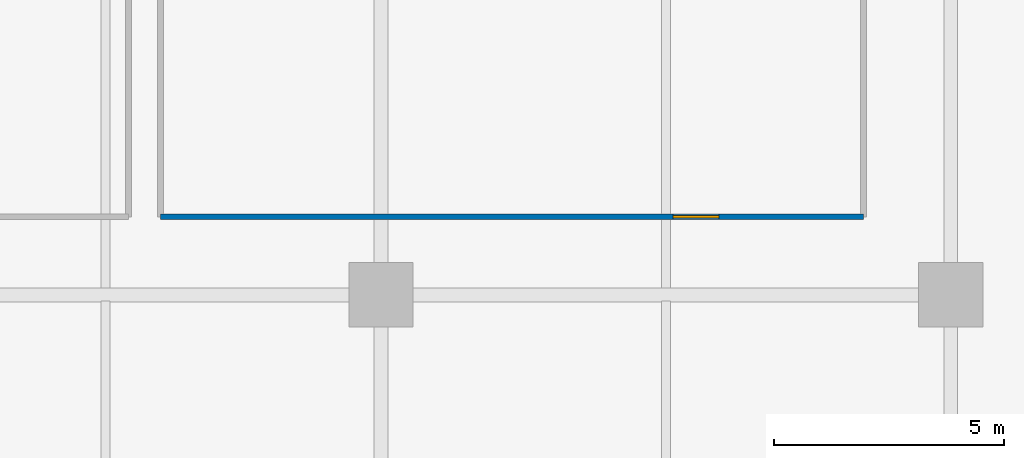
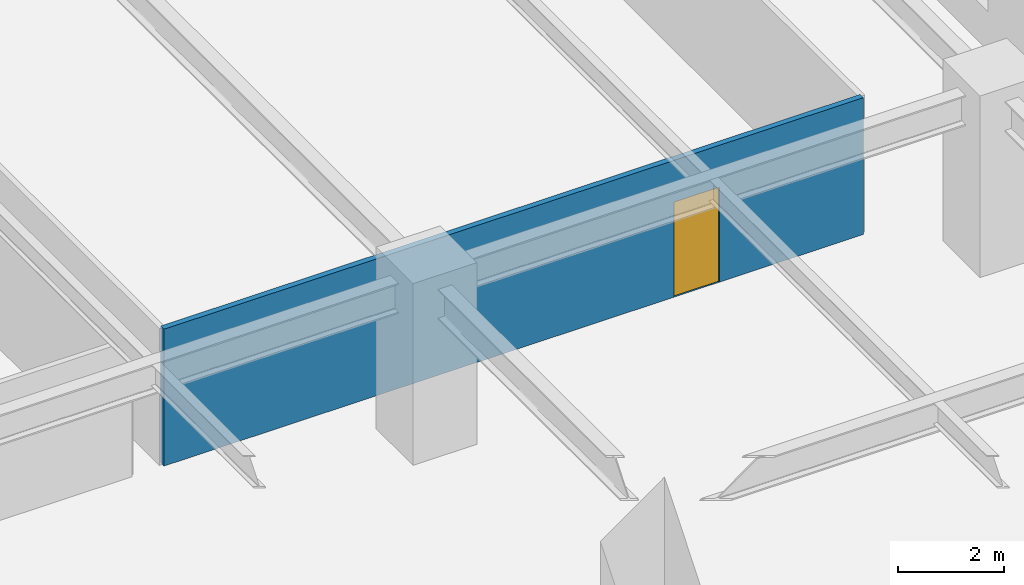
# One storey, part 11 of 25: 1 door, 1 wall, 1 opening.
"""IFC4 building model written with IfcOpenShell, lengths in metres."""

from ifc_helpers import new_model, si_unit, direction, frame, frame_2d, origin, place, context, subcontext, project, spatial, rectangle, extrude, material, layer, layer_set, type_object, element, fill, save


model = new_model("IFC4")

# Units and contexts
model_context = context("Model", 3, precision=1e-05, world=origin(), true_north=direction((0.0, 1.0)))
body_context = subcontext(model_context, "Body", "Model", "MODEL_VIEW")
ifc_project = project(units=[si_unit("LENGTHUNIT", "METRE"), si_unit("AREAUNIT", "SQUARE_METRE"), si_unit("VOLUMEUNIT", "CUBIC_METRE"), si_unit("PLANEANGLEUNIT", "RADIAN"), si_unit("MASSUNIT", "GRAM", prefix="KILO")], contexts=[model_context])

# Site, building, storey
site_placement = place(None, origin())
site = spatial("IfcSite", under=ifc_project, at=site_placement, CompositionType="ELEMENT")
building_placement = place(site_placement, origin())
building = spatial("IfcBuilding", under=site, at=building_placement, Name="Narakoshi Arena Tower", CompositionType="ELEMENT")
storey_placement = place(building_placement, frame((0.0, 0.0, 9.0)))
storey = spatial("IfcBuildingStorey", under=building, at=storey_placement, Name="L02", CompositionType="ELEMENT", Elevation=9.0)

# Wall, opening, door
ifc_material_1 = material(Name="Gypsum plasterboard fire-rated partition")
ifc_layer = layer(ifc_material_1, 0.125)
ifc_layer_set = layer_set([ifc_layer], Name="Gypsum plasterboard fire-rated partition")
wall_type = type_object("IfcWallType", Name="WL-PART-125", PredefinedType="PARTITIONING", material=ifc_layer_set)
wall_placement = place(storey_placement, frame((105.199951171875, 58.199951171875, 0.0), z_axis=(0.0, 0.0, 1.0), x_axis=(1.0, 0.0, 0.0)))
wall = element("IfcWall", 1, at=wall_placement, inside=storey, type_object=wall_type, Name="L02 Corporate Hospitality Box Suite East Wall S", PredefinedType="PARTITIONING", context=body_context, shape_type="SweptSolid", body=[
    extrude(rectangle(XDim=15.300048828125, YDim=0.125, at=frame_2d((7.64990234375, 0.0))), origin(), (0.0, 0.0, 1.0), 3.1650390625),
])
opening_placement = place(wall_placement, frame((11.154052734375, 0.0, 0.0)))
opening = element("IfcOpeningElement", 2, at=opening_placement, cuts=wall, Name="Opening D-06", PredefinedType="OPENING", context=body_context, shape_type="SweptSolid", body=[
    extrude(rectangle(XDim=1.0, YDim=2.199951171875, at=frame_2d((0.5, 1.10009765625))), frame((0.0, 0.072509765625, 0.0), z_axis=(0.0, -1.0, 0.0), x_axis=(1.0, 0.0, 0.0)), (0.0, 0.0, 1.0), 0.14501953125),
])
ifc_material_2 = material(Name="Stained oak solid-core timber", Category="wood")
door_type = type_object("IfcDoorType", Name="DR-OFF-1000", OperationType="NOTDEFINED", PredefinedType="DOOR", material=ifc_material_2)
door_placement = place(opening_placement, frame((1.0, 0.0, 0.0), z_axis=(0.0, 0.0, 1.0), x_axis=(-1.0, 0.0, 0.0)))
door = element("IfcDoor", 3, at=door_placement, inside=storey, type_object=door_type, Name="DR-L02-027", OperationType="SINGLE_SWING_RIGHT", OverallHeight=2.199951171875, OverallWidth=1.0, PredefinedType="DOOR", context=body_context, shape_type="SweptSolid", body=[
    extrude(rectangle(XDim=1.0, YDim=2.199951171875, at=frame_2d((0.5, 1.10009765625))), frame((0.0, 0.02490234375, 0.0), z_axis=(0.0, -1.0, 0.0), x_axis=(1.0, 0.0, 0.0)), (0.0, 0.0, 1.0), 0.050048828125),
])
fill(opening, door)

save(model, "model.ifc")
